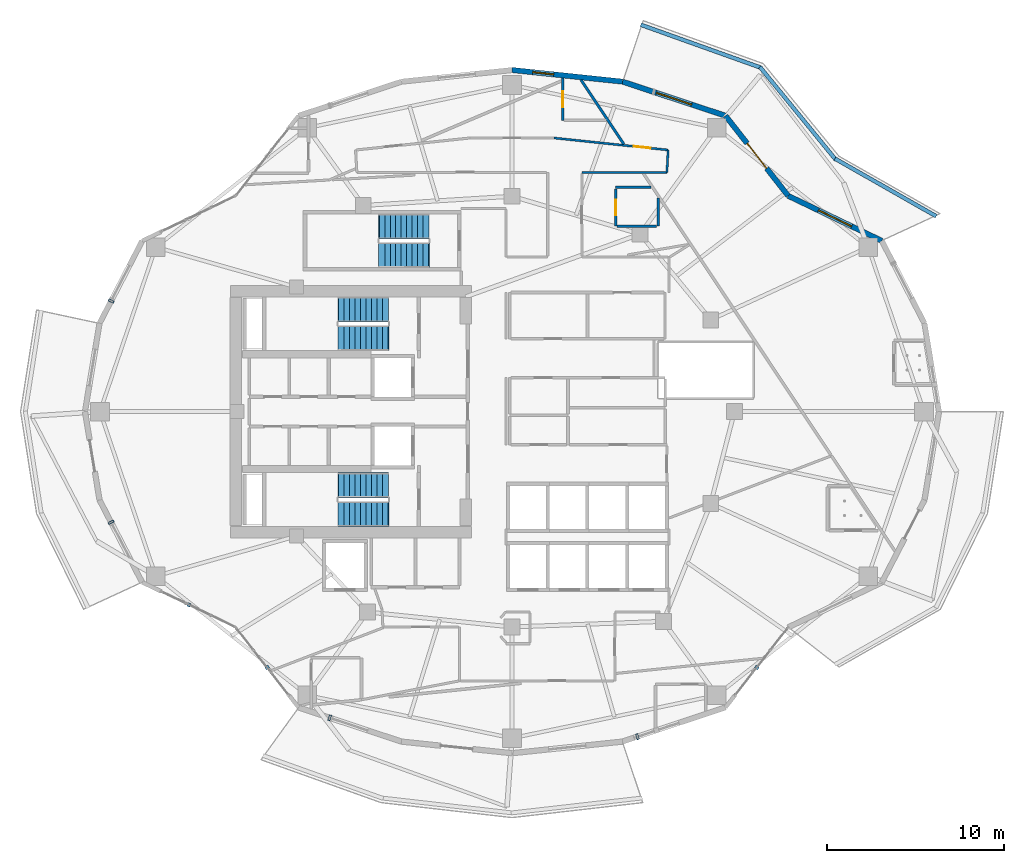
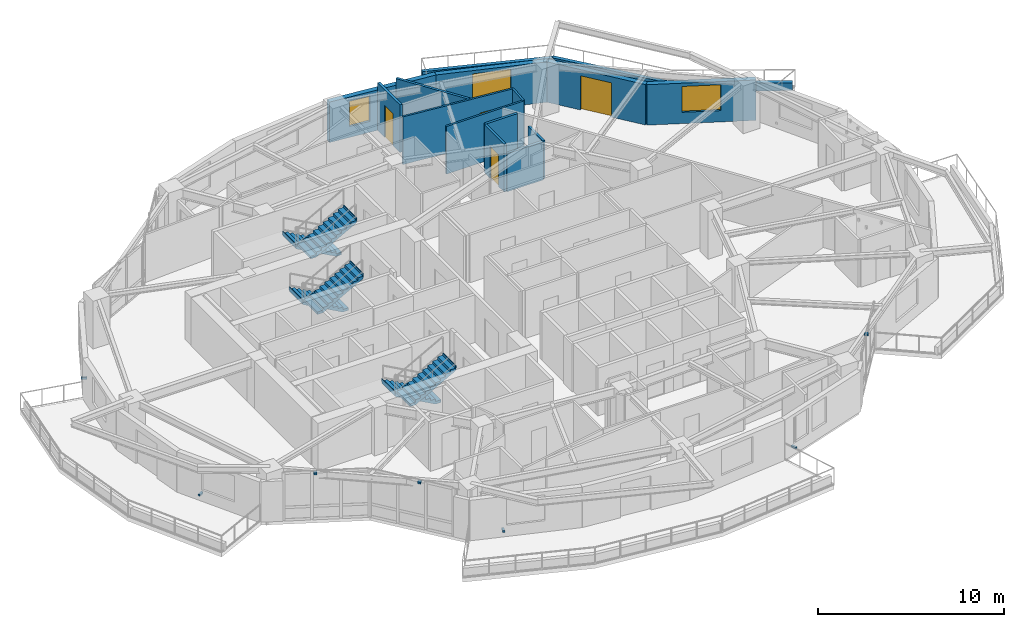
# One storey, part 12 of 18: 16 walls, 7 discrete accessories, 6 stair flights, 4 doors, 3 windows, 7 openings, 3 elements without a shape of their own.
"""IFC4 building model written with IfcOpenShell, lengths in metres."""

from ifc_helpers import new_model, si_unit, direction, frame, frame_2d, origin, origin_2d, place, context, subcontext, project, spatial, polyline, rectangle, outline, extrude, material, layer, layer_set, type_object, element, fill, aggregate, save


model = new_model("IFC4")

# Units and contexts
model_context = context("Model", 3, precision=1e-05, world=origin(), true_north=direction((0.0, 1.0)))
body_context = subcontext(model_context, "Body", "Model", "MODEL_VIEW")
ifc_project = project(units=[si_unit("LENGTHUNIT", "METRE"), si_unit("AREAUNIT", "SQUARE_METRE"), si_unit("VOLUMEUNIT", "CUBIC_METRE"), si_unit("PLANEANGLEUNIT", "RADIAN"), si_unit("MASSUNIT", "GRAM", prefix="KILO")], contexts=[model_context])

# Site, building, storey
site_placement = place(None, origin())
site = spatial("IfcSite", under=ifc_project, at=site_placement, CompositionType="ELEMENT")
building_placement = place(site_placement, origin())
building = spatial("IfcBuilding", under=site, at=building_placement, Name="Kolvaren Gate Tower and Convention Centre", CompositionType="ELEMENT")
storey_placement = place(building_placement, frame((0.0, 0.0, 108.699951171875)))
storey = spatial("IfcBuildingStorey", under=building, at=storey_placement, Name="L26", CompositionType="ELEMENT", Elevation=108.699951171875)

# Wall
ifc_material_1 = material(Name="Fire-Rated Acoustic Gypsum Stud Partition", Category="gypsum")
ifc_layer_1 = layer(ifc_material_1, 0.1201171875)
ifc_layer_set_1 = layer_set([ifc_layer_1], Name="Fire-Rated Acoustic Gypsum Stud Partition")
wall_type_1 = type_object("IfcWallType", Name="ARCH-WL-PART-120", PredefinedType="PARTITIONING", material=ifc_layer_set_1)
wall_1_placement = place(storey_placement, frame((34.080078125, 40.550048828125, 0.0), z_axis=(0.0, 0.0, 1.0), x_axis=(1.0, 0.0, 0.0)))
element("IfcWall", 1, at=wall_1_placement, inside=storey, type_object=wall_type_1, Name="Interior Partition WL-L26-INT-048", PredefinedType="PARTITIONING", context=body_context, shape_type="SweptSolid", body=[
    extrude(rectangle(XDim=4.81982421875, YDim=0.1201171875, at=frame_2d((2.409912109375, 0.0))), origin(), (0.0, 0.0, 1.0), 3.130126953125),
])

# Wall, opening, door
wall_2_placement = place(storey_placement, frame((32.5009765625, 42.5, 0.0), z_axis=(0.0, 0.0, 1.0), x_axis=(0.994501131299, -0.104725831799, 0.0)))
wall_2 = element("IfcWall", 2, at=wall_2_placement, inside=storey, type_object=wall_type_1, Name="Interior Partition WL-L26-INT-051", PredefinedType="PARTITIONING", context=body_context, shape_type="SweptSolid", body=[
    extrude(rectangle(XDim=6.501708984375, YDim=0.1201171875, at=frame_2d((3.2509765625, 0.0))), origin(), (0.0, 0.0, 1.0), 3.130126953125),
])
opening_1_placement = place(wall_2_placement, frame((4.549560546875, 0.0, 0.0)))
opening_1 = element("IfcOpeningElement", 3, at=opening_1_placement, cuts=wall_2, Name="Opening DR-01", PredefinedType="OPENING", context=body_context, shape_type="SweptSolid", body=[
    extrude(rectangle(XDim=0.949951171875, YDim=2.10009765625, at=frame_2d((0.47509765625, 1.050048828125))), frame((0.0, 0.070068359375, 0.0), z_axis=(0.0, -1.0, 0.0), x_axis=(1.0, 0.0, 0.0)), (0.0, 0.0, 1.0), 0.14013671875),
])
ifc_material_2 = material(Name="Painted Architectural Steelwork ASTM A500 Grade C 345 MPa", Category="steel")
door_type_1 = type_object("IfcDoorType", Name="ARCH-DR-RISER-950", OperationType="SINGLE_SWING_RIGHT", PredefinedType="DOOR", material=ifc_material_2)
door_1_placement = place(opening_1_placement, origin())
door_1 = element("IfcDoor", 4, at=door_1_placement, inside=storey, type_object=door_type_1, Name="Deluxe Hotel Suite (HTL-L26-05) Door", OperationType="SINGLE_SWING_LEFT", OverallHeight=2.10009765625, OverallWidth=0.949951171875, PredefinedType="DOOR", context=body_context, shape_type="SweptSolid", body=[
    extrude(rectangle(XDim=0.949951171875, YDim=2.10009765625, at=frame_2d((0.47509765625, 1.050048828125))), frame((0.0, 0.02490234375, 0.0), z_axis=(0.0, -1.0, 0.0), x_axis=(1.0, 0.0, 0.0)), (0.0, 0.0, 1.0), 0.050048828125),
])
fill(opening_1, door_1)

# Walls
wall_3_placement = place(storey_placement, frame((38.89990234375, 40.550048828125, 0.0), z_axis=(0.0, 0.0, 1.0), x_axis=(0.052831079727, 0.99860346335, 0.0)))
element("IfcWall", 5, at=wall_3_placement, inside=storey, type_object=wall_type_1, Name="Interior Partition WL-L26-INT-052", PredefinedType="PARTITIONING", context=body_context, shape_type="SweptSolid", body=[
    extrude(rectangle(XDim=1.270751953125, YDim=0.1201171875, at=frame_2d((0.63525390625, 0.0))), origin(), (0.0, 0.0, 1.0), 3.130126953125),
])
ifc_material_3 = material(Name="Piedmont Cream Honed Limestone Cladding", Category="masonry")
ifc_layer_2 = layer(ifc_material_3, 0.219970703125)
ifc_layer_set_2 = layer_set([ifc_layer_2], Name="Piedmont Cream Honed Limestone Cladding")
wall_type_2 = type_object("IfcWallType", Name="ARCH-WL-PLANTER-220", PredefinedType="PARAPET", material=ifc_layer_set_2)
wall_4_placement = place(storey_placement, frame((48.41259765625, 41.332275390625, 0.0), z_axis=(0.0, 0.0, 1.0), x_axis=(0.869187658335, -0.494482370361, 0.0)))
element("IfcWall", 6, at=wall_4_placement, inside=storey, type_object=wall_type_2, Name="Vertical-Forest Balcony Stone Planter Kerb PK-L26-1.1", PredefinedType="PARAPET", context=body_context, shape_type="SweptSolid", body=[
    extrude(rectangle(XDim=6.606201171875, YDim=0.219970703125, at=frame_2d((3.30322265625, 0.0))), origin(), (0.0, 0.0, 1.0), 0.52001953125),
])
wall_5_placement = place(storey_placement, frame((44.1669921875, 46.523193359375, 0.0), z_axis=(0.0, 0.0, 1.0), x_axis=(0.633002467947, -0.77414977593, 0.0)))
element("IfcWall", 7, at=wall_5_placement, inside=storey, type_object=wall_type_2, Name="Vertical-Forest Balcony Stone Planter Kerb PK-L26-1.2", PredefinedType="PARAPET", context=body_context, shape_type="SweptSolid", body=[
    extrude(rectangle(XDim=6.7802734375, YDim=0.219970703125, at=frame_2d((3.39013671875, 0.0))), origin(), (0.0, 0.0, 1.0), 0.52001953125),
])
wall_6_placement = place(storey_placement, frame((37.4189453125, 48.91259765625, 0.0), z_axis=(0.0, 0.0, 1.0), x_axis=(0.941632697311, -0.336642040387, 0.0)))
element("IfcWall", 8, at=wall_6_placement, inside=storey, type_object=wall_type_2, Name="Vertical-Forest Balcony Stone Planter Kerb PK-L26-1.3", PredefinedType="PARAPET", context=body_context, shape_type="SweptSolid", body=[
    extrude(rectangle(XDim=7.235595703125, YDim=0.219970703125, at=frame_2d((3.61767578125, 0.0))), origin(), (0.0, 0.0, 1.0), 0.52001953125),
])

# Wall, opening, window
ifc_layer_3 = layer(ifc_material_3, 0.300048828125)
ifc_layer_set_3 = layer_set([ifc_layer_3], Name="Piedmont Cream Honed Limestone Cladding")
wall_type_3 = type_object("IfcWallType", Name="ARCH-WL-STONE-300", PredefinedType="SOLIDWALL", material=ifc_layer_set_3)
wall_7_placement = place(storey_placement, frame((45.768798828125, 39.222900390625, 0.0), z_axis=(0.0, 0.0, 1.0), x_axis=(0.901370184739, -0.433049408339, 0.0)))
wall_7 = element("IfcWall", 9, at=wall_7_placement, inside=storey, type_object=wall_type_3, Name="Tower L26 Honed Stone Spandrel Wall EW-02", PredefinedType="SOLIDWALL", context=body_context, shape_type="SweptSolid", body=[
    extrude(rectangle(XDim=5.883544921875, YDim=0.300048828125, at=frame_2d((2.94189453125, 0.0))), origin(), (0.0, 0.0, 1.0), 2.653076171875),
])
opening_2_placement = place(wall_7_placement, frame((1.89208984375, 0.0, 0.739990234375)))
opening_2 = element("IfcOpeningElement", 10, at=opening_2_placement, cuts=wall_7, Name="Opening W-02", PredefinedType="OPENING", context=body_context, shape_type="SweptSolid", body=[
    extrude(rectangle(XDim=2.10009765625, YDim=1.699951171875, at=frame_2d((1.050048828125, 0.85009765625))), frame((0.0, 0.159912109375, 0.0), z_axis=(0.0, -1.0, 0.0), x_axis=(1.0, 0.0, 0.0)), (0.0, 0.0, 1.0), 0.320068359375),
])
ifc_material_4 = material(Name="Low-E Triple Insulated Glazing Unit 44 mm", Category="glass")
window_type_1 = type_object("IfcWindowType", Name="ARCH-WN-HTL-2100", PartitioningType="SINGLE_PANEL", PredefinedType="WINDOW", material=ifc_material_4)
window_1_placement = place(opening_2_placement, origin())
window_1 = element("IfcWindow", 11, at=window_1_placement, inside=storey, type_object=window_type_1, Name="Tower L26 Punched Stone Facade Window W-02", OverallHeight=1.699951171875, OverallWidth=2.10009765625, PartitioningType="SINGLE_PANEL", PredefinedType="WINDOW", context=body_context, shape_type="SweptSolid", body=[
    extrude(rectangle(XDim=2.10009765625, YDim=1.699951171875, at=frame_2d((1.050048828125, 0.85009765625))), frame((0.0, 0.030029296875, 0.0), z_axis=(0.0, -1.0, 0.0), x_axis=(1.0, 0.0, 0.0)), (0.0, 0.0, 1.0), 0.06005859375),
])
fill(opening_2, window_1)

# Wall, opening, door
wall_8_placement = place(storey_placement, frame((42.21875, 43.757568359375, 0.0), z_axis=(0.0, 0.0, 1.0), x_axis=(0.616435134162, -0.787405693001, 0.0)))
wall_8 = element("IfcWall", 12, at=wall_8_placement, inside=storey, type_object=wall_type_3, Name="Tower L26 Honed Stone Spandrel Wall EW-03", PredefinedType="SOLIDWALL", context=body_context, shape_type="SweptSolid", body=[
    extrude(rectangle(XDim=5.759033203125, YDim=0.300048828125, at=frame_2d((2.87939453125, 0.0))), origin(), (0.0, 0.0, 1.0), 2.653076171875),
])
opening_3_placement = place(wall_8_placement, frame((1.97900390625, 0.0, 0.0)))
opening_3 = element("IfcOpeningElement", 13, at=opening_3_placement, cuts=wall_8, Name="Opening DB-01", PredefinedType="OPENING", context=body_context, shape_type="SweptSolid", body=[
    extrude(rectangle(XDim=1.800048828125, YDim=2.25, at=frame_2d((0.89990234375, 1.125))), frame((0.0, 0.159912109375, 0.0), z_axis=(0.0, -1.0, 0.0), x_axis=(1.0, 0.0, 0.0)), (0.0, 0.0, 1.0), 0.320068359375),
])
ifc_material_5 = material(Name="Anodized Architectural Aluminium Alloy 6063-T6", Category="aluminium")
door_type_2 = type_object("IfcDoorType", Name="ARCH-DR-BALC-1800", OperationType="SLIDING_TO_LEFT", PredefinedType="DOOR", material=ifc_material_5)
door_2_placement = place(opening_3_placement, origin())
door_2 = element("IfcDoor", 14, at=door_2_placement, inside=storey, type_object=door_type_2, Name="Planted Sky Terrace Access Door DB-L26-03", OperationType="SLIDING_TO_LEFT", OverallHeight=2.25, OverallWidth=1.800048828125, PredefinedType="DOOR", context=body_context, shape_type="SweptSolid", body=[
    extrude(rectangle(XDim=1.800048828125, YDim=2.25, at=frame_2d((0.89990234375, 1.125))), frame((0.0, 0.02490234375, 0.0), z_axis=(0.0, -1.0, 0.0), x_axis=(1.0, 0.0, 0.0)), (0.0, 0.0, 1.0), 0.050048828125),
])
fill(opening_3, door_2)

# Wall, opening, window
wall_9_placement = place(storey_placement, frame((36.38525390625, 45.690673828125, 0.0), z_axis=(0.0, 0.0, 1.0), x_axis=(0.949238009374, -0.314558741032, 0.0)))
wall_9 = element("IfcWall", 15, at=wall_9_placement, inside=storey, type_object=wall_type_3, Name="Tower L26 Honed Stone Spandrel Wall EW-04", PredefinedType="SOLIDWALL", context=body_context, shape_type="SweptSolid", body=[
    extrude(rectangle(XDim=6.1455078125, YDim=0.300048828125, at=frame_2d((3.07275390625, 0.0))), origin(), (0.0, 0.0, 1.0), 2.653076171875),
])
opening_4_placement = place(wall_9_placement, frame((2.02294921875, 0.0, 0.739990234375)))
opening_4 = element("IfcOpeningElement", 16, at=opening_4_placement, cuts=wall_9, Name="Opening W-02", PredefinedType="OPENING", context=body_context, shape_type="SweptSolid", body=[
    extrude(rectangle(XDim=2.10009765625, YDim=1.699951171875, at=frame_2d((1.050048828125, 0.85009765625))), frame((0.0, 0.159912109375, 0.0), z_axis=(0.0, -1.0, 0.0), x_axis=(1.0, 0.0, 0.0)), (0.0, 0.0, 1.0), 0.320068359375),
])
window_2_placement = place(opening_4_placement, origin())
window_2 = element("IfcWindow", 17, at=window_2_placement, inside=storey, type_object=window_type_1, Name="Tower L26 Punched Stone Facade Window W-04", OverallHeight=1.699951171875, OverallWidth=2.10009765625, PartitioningType="SINGLE_PANEL", PredefinedType="WINDOW", context=body_context, shape_type="SweptSolid", body=[
    extrude(rectangle(XDim=2.10009765625, YDim=1.699951171875, at=frame_2d((1.050048828125, 0.85009765625))), frame((0.0, 0.030029296875, 0.0), z_axis=(0.0, -1.0, 0.0), x_axis=(1.0, 0.0, 0.0)), (0.0, 0.0, 1.0), 0.06005859375),
])
fill(opening_4, window_2)

wall_10_placement = place(storey_placement, frame((30.125, 46.35009765625, 0.0), z_axis=(0.0, 0.0, 1.0), x_axis=(0.994498012394, -0.104755445421, 0.0)))
wall_10 = element("IfcWall", 18, at=wall_10_placement, inside=storey, type_object=wall_type_3, Name="Tower L26 Honed Stone Spandrel Wall EW-05", PredefinedType="SOLIDWALL", context=body_context, shape_type="SweptSolid", body=[
    extrude(rectangle(XDim=6.294921875, YDim=0.300048828125, at=frame_2d((3.1474609375, 0.0))), origin(), (0.0, 0.0, 1.0), 2.653076171875),
])
opening_5_placement = place(wall_10_placement, frame((1.179931640625, 0.0, 0.719970703125)))
opening_5 = element("IfcOpeningElement", 19, at=opening_5_placement, cuts=wall_10, Name="Opening W-04", PredefinedType="OPENING", context=body_context, shape_type="SweptSolid", body=[
    extrude(rectangle(XDim=1.199951171875, YDim=1.64990234375, at=frame_2d((0.60009765625, 0.824951171875))), frame((0.0, 0.159912109375, 0.0), z_axis=(0.0, -1.0, 0.0), x_axis=(1.0, 0.0, 0.0)), (0.0, 0.0, 1.0), 0.320068359375),
])
window_type_2 = type_object("IfcWindowType", Name="ARCH-WN-NARROW-1200", PartitioningType="SINGLE_PANEL", PredefinedType="WINDOW", material=ifc_material_4)
window_3_placement = place(opening_5_placement, origin())
window_3 = element("IfcWindow", 20, at=window_3_placement, inside=storey, type_object=window_type_2, Name="Tower L26 Punched Stone Facade Window W-05", OverallHeight=1.64990234375, OverallWidth=1.199951171875, PartitioningType="SINGLE_PANEL", PredefinedType="WINDOW", context=body_context, shape_type="SweptSolid", body=[
    extrude(rectangle(XDim=1.199951171875, YDim=1.64990234375, at=frame_2d((0.60009765625, 0.824951171875))), frame((0.0, 0.030029296875, 0.0), z_axis=(0.0, -1.0, 0.0), x_axis=(1.0, 0.0, 0.0)), (0.0, 0.0, 1.0), 0.06005859375),
])
fill(opening_5, window_3)

# Walls
ifc_material_6 = material(Name="Moisture-Resistant Cement-Board Acoustic Partition", Category="gypsum")
ifc_layer_4 = layer(ifc_material_6, 0.14990234375)
ifc_layer_set_4 = layer_set([ifc_layer_4], Name="Moisture-Resistant Cement-Board Acoustic Partition")
wall_type_4 = type_object("IfcWallType", Name="ARCH-WL-WET-150", PredefinedType="PARTITIONING", material=ifc_layer_set_4)
wall_11_placement = place(storey_placement, frame((34.034912109375, 45.785400390625, 0.0), z_axis=(0.0, 0.0, 1.0), x_axis=(0.554584277701, -0.832127561691, 0.0)))
element("IfcWall", 21, at=wall_11_placement, inside=storey, type_object=wall_type_4, Name="Interior Partition WL-L26-INT-072", PredefinedType="PARTITIONING", context=body_context, shape_type="SweptSolid", body=[
    extrude(rectangle(XDim=4.37451171875, YDim=0.14990234375, at=frame_2d((2.187255859375, 0.0))), origin(), (0.0, 0.0, 1.0), 3.130126953125),
])
wall_12_placement = place(storey_placement, frame((38.39990234375, 37.5, 0.0), z_axis=(0.0, 0.0, 1.0), x_axis=(0.0, 1.0, 0.0)))
element("IfcWall", 22, at=wall_12_placement, inside=storey, type_object=wall_type_4, Name="Interior Partition WL-L26-INT-081", PredefinedType="PARTITIONING", context=body_context, shape_type="SweptSolid", body=[
    extrude(rectangle(XDim=1.596923828125, YDim=0.14990234375, at=frame_2d((0.79833984375, 0.0))), origin(), (0.0, 0.0, 1.0), 2.505126953125),
])
wall_13_placement = place(storey_placement, frame((36.0, 39.699951171875, 0.0), z_axis=(0.0, 0.0, 1.0), x_axis=(1.0, 0.0, 0.0)))
element("IfcWall", 23, at=wall_13_placement, inside=storey, type_object=wall_type_4, Name="Interior Partition WL-L26-INT-086", PredefinedType="PARTITIONING", context=body_context, shape_type="SweptSolid", body=[
    extrude(rectangle(XDim=1.998046875, YDim=0.14990234375, at=frame_2d((0.9990234375, 0.0))), origin(), (0.0, 0.0, 1.0), 3.130126953125),
])

# Wall, opening, door
wall_14_placement = place(storey_placement, frame((36.0, 37.5, 0.0), z_axis=(0.0, 0.0, 1.0), x_axis=(0.0, 1.0, 0.0)))
wall_14 = element("IfcWall", 24, at=wall_14_placement, inside=storey, type_object=wall_type_4, Name="Interior Partition WL-L26-INT-087", PredefinedType="PARTITIONING", context=body_context, shape_type="SweptSolid", body=[
    extrude(rectangle(XDim=2.123046875, YDim=0.14990234375, at=frame_2d((1.0615234375, 0.0))), origin(), (0.0, 0.0, 1.0), 3.130126953125),
])
opening_6_placement = place(wall_14_placement, frame((0.611572265625, 0.0, 0.0)))
opening_6 = element("IfcOpeningElement", 25, at=opening_6_placement, cuts=wall_14, Name="Opening DW-01", PredefinedType="OPENING", context=body_context, shape_type="SweptSolid", body=[
    extrude(rectangle(XDim=0.89990234375, YDim=2.10009765625, at=frame_2d((0.449951171875, 1.050048828125))), frame((0.0, 0.0849609375, 0.0), z_axis=(0.0, -1.0, 0.0), x_axis=(1.0, 0.0, 0.0)), (0.0, 0.0, 1.0), 0.169921875),
])
ifc_material_7 = material(Name="FSC Andean Oak Engineered Veneer Door Leaf", Category="wood")
door_type_3 = type_object("IfcDoorType", Name="ARCH-DR-WC-900", OperationType="SINGLE_SWING_RIGHT", PredefinedType="DOOR", material=ifc_material_7)
door_3_placement = place(opening_6_placement, origin())
door_3 = element("IfcDoor", 26, at=door_3_placement, inside=storey, type_object=door_type_3, Name="En-suite Bathroom (HTL-L26-06) Door", OperationType="SINGLE_SWING_RIGHT", OverallHeight=2.10009765625, OverallWidth=0.89990234375, PredefinedType="DOOR", context=body_context, shape_type="SweptSolid", body=[
    extrude(rectangle(XDim=0.89990234375, YDim=2.10009765625, at=frame_2d((0.449951171875, 1.050048828125))), frame((0.0, 0.02490234375, 0.0), z_axis=(0.0, -1.0, 0.0), x_axis=(1.0, 0.0, 0.0)), (0.0, 0.0, 1.0), 0.050048828125),
])
fill(opening_6, door_3)

# Wall
wall_15_placement = place(storey_placement, frame((36.076904296875, 37.5, 0.0), z_axis=(0.0, 0.0, 1.0), x_axis=(1.0, 0.0, 0.0)))
element("IfcWall", 27, at=wall_15_placement, inside=storey, type_object=wall_type_4, Name="Interior Partition WL-L26-INT-088", PredefinedType="PARTITIONING", context=body_context, shape_type="SweptSolid", body=[
    extrude(rectangle(XDim=2.24609375, YDim=0.14990234375, at=frame_2d((1.123046875, 0.0))), origin(), (0.0, 0.0, 1.0), 2.505126953125),
])

# Wall, opening, door
wall_16_placement = place(storey_placement, frame((33.0, 43.5, 0.0), z_axis=(0.0, 0.0, 1.0), x_axis=(0.0, 1.0, 0.0)))
wall_16 = element("IfcWall", 28, at=wall_16_placement, inside=storey, type_object=wall_type_4, Name="Interior Partition WL-L26-INT-090", PredefinedType="PARTITIONING", context=body_context, shape_type="SweptSolid", body=[
    extrude(rectangle(XDim=2.394287109375, YDim=0.14990234375, at=frame_2d((1.197265625, 0.0))), origin(), (0.0, 0.0, 1.0), 3.130126953125),
])
opening_7_placement = place(wall_16_placement, frame((0.747314453125, 0.0, 0.0)))
opening_7 = element("IfcOpeningElement", 29, at=opening_7_placement, cuts=wall_16, Name="Opening DW-01", PredefinedType="OPENING", context=body_context, shape_type="SweptSolid", body=[
    extrude(rectangle(XDim=0.89990234375, YDim=2.10009765625, at=frame_2d((0.449951171875, 1.050048828125))), frame((0.0, 0.0849609375, 0.0), z_axis=(0.0, -1.0, 0.0), x_axis=(1.0, 0.0, 0.0)), (0.0, 0.0, 1.0), 0.169921875),
])
door_4_placement = place(opening_7_placement, origin())
door_4 = element("IfcDoor", 30, at=door_4_placement, inside=storey, type_object=door_type_3, Name="En-suite Bathroom (HTL-L26-07) Door", OperationType="SINGLE_SWING_LEFT", OverallHeight=2.10009765625, OverallWidth=0.89990234375, PredefinedType="DOOR", context=body_context, shape_type="SweptSolid", body=[
    extrude(rectangle(XDim=0.89990234375, YDim=2.10009765625, at=frame_2d((0.449951171875, 1.050048828125))), frame((0.0, 0.02490234375, 0.0), z_axis=(0.0, -1.0, 0.0), x_axis=(1.0, 0.0, 0.0)), (0.0, 0.0, 1.0), 0.050048828125),
])
fill(opening_7, door_4)

# Stair, stair flights
ifc_material_8 = material(Name="Concrete C50/60", Category="concrete")
stair_type = type_object("IfcStairType", Name="STR-STAIR-CORE", PredefinedType="HALF_TURN_STAIR", material=ifc_material_8)
stair_1_placement = place(storey_placement, origin())
stair_1 = element("IfcStair", 31, at=stair_1_placement, inside=storey, type_object=stair_type, Name="L26 Tower North Exit Stair ST-T1", PredefinedType="HALF_TURN_STAIR")
stair_flight_type = type_object("IfcStairFlightType", Name="STR-SFL-1420", PredefinedType="STRAIGHT", material=ifc_material_8)
stair_flight_1_placement = place(storey_placement, frame((23.10009765625, 32.7900390625, 0.0), z_axis=(0.0, 0.0, 1.0), x_axis=(-1.0, 0.0, 0.0)))
stair_flight_1 = element("IfcStairFlight", 32, at=stair_flight_1_placement, type_object=stair_flight_type, Name="ST-T1 flight 1", NumberOfRisers=10, NumberOfTreads=9, PredefinedType="STRAIGHT", RiserHeight=0.17, TreadLength=0.31, context=body_context, shape_type="SweptSolid", body=[
    extrude(outline(polyline([(-0.034912109375, 0.0), (-0.034912109375, 0.169921875), (0.31005859375, 0.169921875), (0.31005859375, 0.340087890625), (0.6201171875, 0.340087890625), (0.6201171875, 0.510009765625), (0.929931640625, 0.510009765625), (0.929931640625, 0.679931640625), (1.239990234375, 0.679931640625), (1.239990234375, 0.85009765625), (1.550048828125, 0.85009765625), (1.550048828125, 1.02001953125), (1.860107421875, 1.02001953125), (1.860107421875, 1.18994140625), (2.169921875, 1.18994140625), (2.169921875, 1.360107421875), (2.47998046875, 1.360107421875), (2.47998046875, 1.530029296875), (2.7900390625, 1.530029296875), (2.7900390625, 1.699951171875), (2.8349609375, 1.699951171875), (2.8349609375, 1.5400390625), (2.7900390625, 1.359130859375), (0.311767578125, 0.0), (-0.034912109375, 0.0)])), frame((0.0, 0.7099609375, 0.0), z_axis=(0.0, -1.0, 0.0), x_axis=(1.0, 0.0, 0.0)), (0.0, 0.0, 1.0), 1.419921875),
])
stair_flight_2_placement = place(storey_placement, frame((20.31005859375, 31.169921875, 1.699951171875), z_axis=(0.0, 0.0, 1.0), x_axis=(1.0, 0.0, 0.0)))
stair_flight_2 = element("IfcStairFlight", 33, at=stair_flight_2_placement, type_object=stair_flight_type, Name="ST-T1 flight 2", NumberOfRisers=10, NumberOfTreads=9, PredefinedType="STRAIGHT", RiserHeight=0.17, TreadLength=0.31, context=body_context, shape_type="SweptSolid", body=[
    extrude(outline(polyline([(-0.034912109375, 0.0), (-0.034912109375, 0.169921875), (0.31005859375, 0.169921875), (0.31005859375, 0.340087890625), (0.6201171875, 0.340087890625), (0.6201171875, 0.510009765625), (0.929931640625, 0.510009765625), (0.929931640625, 0.679931640625), (1.239990234375, 0.679931640625), (1.239990234375, 0.85009765625), (1.550048828125, 0.85009765625), (1.550048828125, 1.02001953125), (1.860107421875, 1.02001953125), (1.860107421875, 1.18994140625), (2.169921875, 1.18994140625), (2.169921875, 1.360107421875), (2.47998046875, 1.360107421875), (2.47998046875, 1.530029296875), (2.7900390625, 1.530029296875), (2.7900390625, 1.699951171875), (2.8349609375, 1.699951171875), (2.8349609375, 1.5400390625), (2.7900390625, 1.359130859375), (0.311767578125, 0.0), (-0.034912109375, 0.0)])), frame((0.0, 0.7099609375, 0.0), z_axis=(0.0, -1.0, 0.0), x_axis=(1.0, 0.0, 0.0)), (0.0, 0.0, 1.0), 1.419921875),
])
aggregate(stair_1, [stair_flight_1, stair_flight_2])

stair_2_placement = place(storey_placement, origin())
stair_2 = element("IfcStair", 34, at=stair_2_placement, inside=storey, type_object=stair_type, Name="L26 Tower South Exit Stair ST-T2", PredefinedType="HALF_TURN_STAIR")
stair_flight_3_placement = place(storey_placement, frame((23.10009765625, 22.830078125, 0.0), z_axis=(0.0, 0.0, 1.0), x_axis=(-1.0, 0.0, 0.0)))
stair_flight_3 = element("IfcStairFlight", 35, at=stair_flight_3_placement, type_object=stair_flight_type, Name="ST-T2 flight 1", NumberOfRisers=10, NumberOfTreads=9, PredefinedType="STRAIGHT", RiserHeight=0.17, TreadLength=0.31, context=body_context, shape_type="SweptSolid", body=[
    extrude(outline(polyline([(-0.034912109375, 0.0), (-0.034912109375, 0.169921875), (0.31005859375, 0.169921875), (0.31005859375, 0.340087890625), (0.6201171875, 0.340087890625), (0.6201171875, 0.510009765625), (0.929931640625, 0.510009765625), (0.929931640625, 0.679931640625), (1.239990234375, 0.679931640625), (1.239990234375, 0.85009765625), (1.550048828125, 0.85009765625), (1.550048828125, 1.02001953125), (1.860107421875, 1.02001953125), (1.860107421875, 1.18994140625), (2.169921875, 1.18994140625), (2.169921875, 1.360107421875), (2.47998046875, 1.360107421875), (2.47998046875, 1.530029296875), (2.7900390625, 1.530029296875), (2.7900390625, 1.699951171875), (2.8349609375, 1.699951171875), (2.8349609375, 1.5400390625), (2.7900390625, 1.359130859375), (0.311767578125, 0.0), (-0.034912109375, 0.0)])), frame((0.0, 0.7099609375, 0.0), z_axis=(0.0, -1.0, 0.0), x_axis=(1.0, 0.0, 0.0)), (0.0, 0.0, 1.0), 1.419921875),
])
stair_flight_4_placement = place(storey_placement, frame((20.31005859375, 21.2099609375, 1.699951171875), z_axis=(0.0, 0.0, 1.0), x_axis=(1.0, 0.0, 0.0)))
stair_flight_4 = element("IfcStairFlight", 36, at=stair_flight_4_placement, type_object=stair_flight_type, Name="ST-T2 flight 2", NumberOfRisers=10, NumberOfTreads=9, PredefinedType="STRAIGHT", RiserHeight=0.17, TreadLength=0.31, context=body_context, shape_type="SweptSolid", body=[
    extrude(outline(polyline([(-0.034912109375, 0.0), (-0.034912109375, 0.169921875), (0.31005859375, 0.169921875), (0.31005859375, 0.340087890625), (0.6201171875, 0.340087890625), (0.6201171875, 0.510009765625), (0.929931640625, 0.510009765625), (0.929931640625, 0.679931640625), (1.239990234375, 0.679931640625), (1.239990234375, 0.85009765625), (1.550048828125, 0.85009765625), (1.550048828125, 1.02001953125), (1.860107421875, 1.02001953125), (1.860107421875, 1.18994140625), (2.169921875, 1.18994140625), (2.169921875, 1.360107421875), (2.47998046875, 1.360107421875), (2.47998046875, 1.530029296875), (2.7900390625, 1.530029296875), (2.7900390625, 1.699951171875), (2.8349609375, 1.699951171875), (2.8349609375, 1.5400390625), (2.7900390625, 1.359130859375), (0.311767578125, 0.0), (-0.034912109375, 0.0)])), frame((0.0, 0.7099609375, 0.0), z_axis=(0.0, -1.0, 0.0), x_axis=(1.0, 0.0, 0.0)), (0.0, 0.0, 1.0), 1.419921875),
])
aggregate(stair_2, [stair_flight_3, stair_flight_4])

stair_3_placement = place(storey_placement, origin())
stair_3 = element("IfcStair", 37, at=stair_3_placement, inside=storey, type_object=stair_type, Name="L26 Tower Mid-Zone Exit Stair ST-T3", PredefinedType="HALF_TURN_STAIR")
stair_flight_5_placement = place(storey_placement, frame((25.39990234375, 37.489990234375, 0.0), z_axis=(0.0, 0.0, 1.0), x_axis=(-1.0, 0.0, 0.0)))
stair_flight_5 = element("IfcStairFlight", 38, at=stair_flight_5_placement, type_object=stair_flight_type, Name="ST-T3 flight 1", NumberOfRisers=10, NumberOfTreads=9, PredefinedType="STRAIGHT", RiserHeight=0.17, TreadLength=0.31, context=body_context, shape_type="SweptSolid", body=[
    extrude(outline(polyline([(-0.034912109375, 0.0), (-0.034912109375, 0.169921875), (0.31005859375, 0.169921875), (0.31005859375, 0.340087890625), (0.6201171875, 0.340087890625), (0.6201171875, 0.510009765625), (0.929931640625, 0.510009765625), (0.929931640625, 0.679931640625), (1.239990234375, 0.679931640625), (1.239990234375, 0.85009765625), (1.550048828125, 0.85009765625), (1.550048828125, 1.02001953125), (1.860107421875, 1.02001953125), (1.860107421875, 1.18994140625), (2.169921875, 1.18994140625), (2.169921875, 1.360107421875), (2.47998046875, 1.360107421875), (2.47998046875, 1.530029296875), (2.7900390625, 1.530029296875), (2.7900390625, 1.699951171875), (2.8349609375, 1.699951171875), (2.8349609375, 1.5400390625), (2.7900390625, 1.359130859375), (0.311767578125, 0.0), (-0.034912109375, 0.0)])), frame((0.0, 0.7099609375, 0.0), z_axis=(0.0, -1.0, 0.0), x_axis=(1.0, 0.0, 0.0)), (0.0, 0.0, 1.0), 1.419921875),
])
stair_flight_6_placement = place(storey_placement, frame((22.610107421875, 35.8701171875, 1.699951171875), z_axis=(0.0, 0.0, 1.0), x_axis=(1.0, 0.0, 0.0)))
stair_flight_6 = element("IfcStairFlight", 39, at=stair_flight_6_placement, type_object=stair_flight_type, Name="ST-T3 flight 2", NumberOfRisers=10, NumberOfTreads=9, PredefinedType="STRAIGHT", RiserHeight=0.17, TreadLength=0.31, context=body_context, shape_type="SweptSolid", body=[
    extrude(outline(polyline([(-0.034912109375, 0.0), (-0.034912109375, 0.169921875), (0.31005859375, 0.169921875), (0.31005859375, 0.340087890625), (0.6201171875, 0.340087890625), (0.6201171875, 0.510009765625), (0.929931640625, 0.510009765625), (0.929931640625, 0.679931640625), (1.239990234375, 0.679931640625), (1.239990234375, 0.85009765625), (1.550048828125, 0.85009765625), (1.550048828125, 1.02001953125), (1.860107421875, 1.02001953125), (1.860107421875, 1.18994140625), (2.169921875, 1.18994140625), (2.169921875, 1.360107421875), (2.47998046875, 1.360107421875), (2.47998046875, 1.530029296875), (2.7900390625, 1.530029296875), (2.7900390625, 1.699951171875), (2.8349609375, 1.699951171875), (2.8349609375, 1.5400390625), (2.7900390625, 1.359130859375), (0.311767578125, 0.0), (-0.034912109375, 0.0)])), frame((0.0, 0.7099609375, 0.0), z_axis=(0.0, -1.0, 0.0), x_axis=(1.0, 0.0, 0.0)), (0.0, 0.0, 1.0), 1.419921875),
])
aggregate(stair_3, [stair_flight_5, stair_flight_6])

# Discrete accessories
discrete_accessory_type = type_object("IfcDiscreteAccessoryType", Name="ARCH-ACC-BRACKET-120", PredefinedType="BRACKET", material=ifc_material_5)
for number, where, z_axis, x_axis, name in (
    (40, (7.413818359375, 33.267333984375, 0.2900390625), (0.0, 0.0, 1.0), (0.459781360558, 0.888032150591, 0.0), "Ceramic Fin Wall Anchor Bracket FBK-L26-10"),
    (41, (7.413818359375, 20.732666015625, 0.2900390625), (0.0, 0.0, 1.0), (0.459781360558, -0.888032150591, 0.0), "Ceramic Fin Wall Anchor Bracket FBK-L26-13"),
):
    element("IfcDiscreteAccessory", number, at=place(storey_placement, frame(where, z_axis=z_axis, x_axis=x_axis)), inside=storey, type_object=discrete_accessory_type, Name=name, PredefinedType="BRACKET", context=body_context, shape_type="SweptSolid", body=[
        extrude(rectangle(XDim=0.1201171875, YDim=0.320068359375, at=origin_2d()), origin(), (0.0, 0.0, 1.0), 0.1201171875),
    ])
for number, where, z_axis, x_axis, name in (
    (42, (11.82958984375, 16.051025390625, 2.949951171875), (0.0, 0.0, 1.0), (0.901362925045, -0.433064518696, 0.0), "Solar Screen Spandrel Anchor Bracket BK-L26-14"),
    (43, (16.256103515625, 12.509765625, 2.949951171875), (0.0, 0.0, 1.0), (0.616424499081, -0.787414018756, 0.0), "Solar Screen Spandrel Anchor Bracket BK-L26-15"),
):
    element("IfcDiscreteAccessory", number, at=place(storey_placement, frame(where, z_axis=z_axis, x_axis=x_axis)), inside=storey, type_object=discrete_accessory_type, Name=name, PredefinedType="BRACKET", context=body_context, shape_type="SweptSolid", body=[
        extrude(rectangle(XDim=0.179931640625, YDim=0.219970703125, at=origin_2d()), origin(), (0.0, 0.0, 1.0), 0.1201171875),
    ])
for number, where, z_axis, x_axis, name in (
    (44, (19.799560546875, 9.656494140625, 0.2900390625), (0.0, 0.0, 1.0), (0.949240081615, -0.314552487599, 0.0), "Ceramic Fin Wall Anchor Bracket FBK-L26-16"),
    (45, (37.22998046875, 8.58935546875, 0.2900390625), (0.0, 0.0, 1.0), (0.949240081615, 0.314552487599, 0.0), "Ceramic Fin Wall Anchor Bracket FBK-L26-19"),
):
    element("IfcDiscreteAccessory", number, at=place(storey_placement, frame(where, z_axis=z_axis, x_axis=x_axis)), inside=storey, type_object=discrete_accessory_type, Name=name, PredefinedType="BRACKET", context=body_context, shape_type="SweptSolid", body=[
        extrude(rectangle(XDim=0.1201171875, YDim=0.320068359375, at=origin_2d()), origin(), (0.0, 0.0, 1.0), 0.1201171875),
    ])
discrete_accessory_placement = place(storey_placement, frame((43.993896484375, 12.509765625, 2.949951171875), z_axis=(0.0, 0.0, 1.0), x_axis=(0.616424499081, 0.787414018756, 0.0)))
element("IfcDiscreteAccessory", 46, at=discrete_accessory_placement, inside=storey, type_object=discrete_accessory_type, Name="Solar Screen Spandrel Anchor Bracket BK-L26-20", PredefinedType="BRACKET", context=body_context, shape_type="SweptSolid", body=[
    extrude(rectangle(XDim=0.179931640625, YDim=0.219970703125, at=origin_2d()), origin(), (0.0, 0.0, 1.0), 0.1201171875),
])

save(model, "model.ifc")
